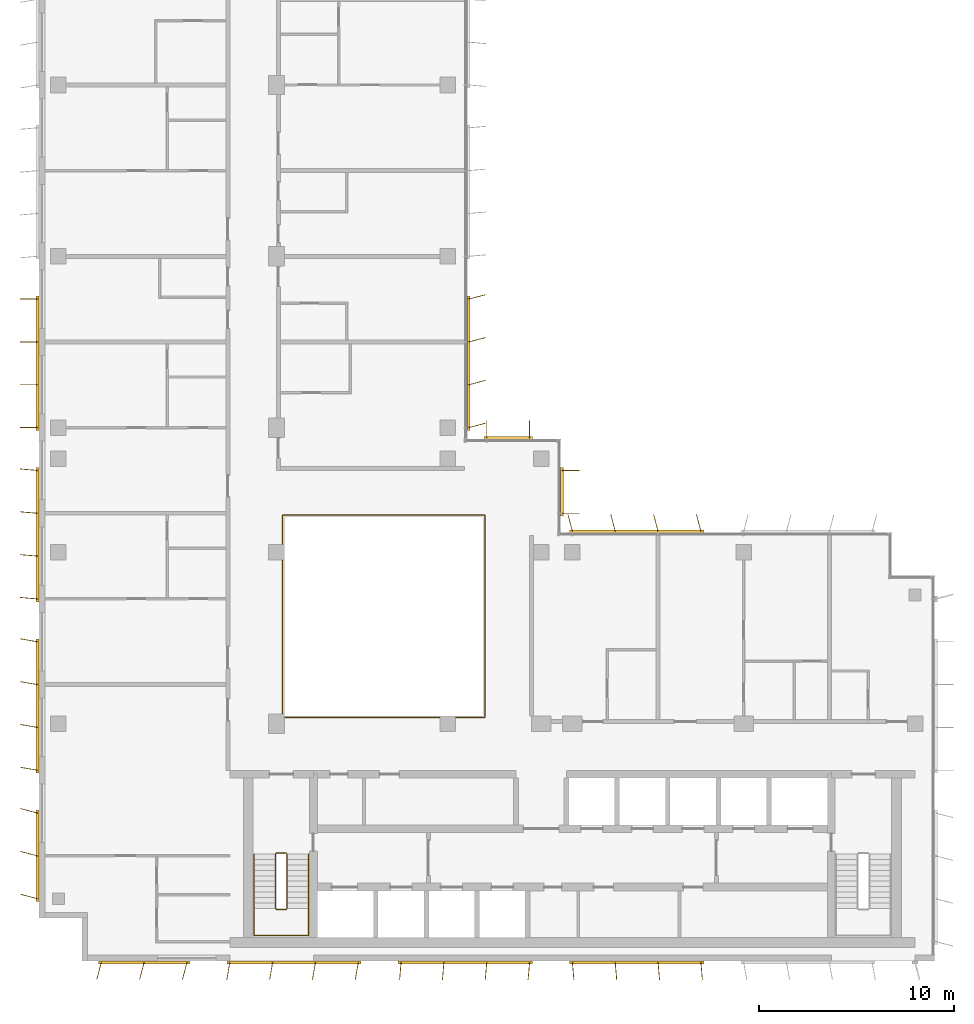
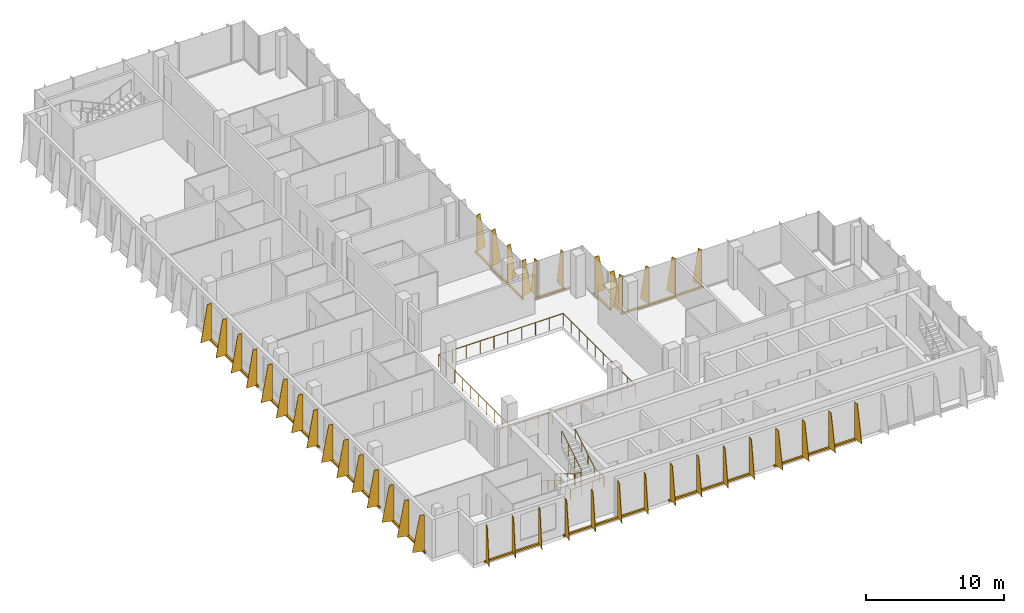
# One storey, part 14 of 16: 12 shading devices, 3 railings.
"""IFC4 building model written with IfcOpenShell, lengths in metres."""

from ifc_helpers import new_model, si_unit, direction, frame, origin, origin_2d, place, context, subcontext, project, spatial, polyline, rectangle, circle, outline, extrude, source, transform, mapped, material, layer, layer_set, type_object, element, save


model = new_model("IFC4")

# Units and contexts
model_context = context("Model", 3, precision=1e-05, world=origin(), true_north=direction((0.0, 1.0)))
body_context = subcontext(model_context, "Body", "Model", "MODEL_VIEW")
ifc_project = project(units=[si_unit("LENGTHUNIT", "METRE"), si_unit("AREAUNIT", "SQUARE_METRE"), si_unit("VOLUMEUNIT", "CUBIC_METRE"), si_unit("PLANEANGLEUNIT", "RADIAN"), si_unit("MASSUNIT", "GRAM", prefix="KILO")], contexts=[model_context])

# Site, building, storey
site_placement = place(None, origin())
site = spatial("IfcSite", under=ifc_project, at=site_placement, CompositionType="ELEMENT")
building_placement = place(site_placement, origin())
building = spatial("IfcBuilding", under=site, at=building_placement, Name="Kemantara Hotel Tower", CompositionType="ELEMENT")
storey_placement = place(building_placement, frame((0.0, 0.0, 283.300048828125)))
storey = spatial("IfcBuildingStorey", under=building, at=storey_placement, Name="L71", CompositionType="ELEMENT", Elevation=283.300048828125)

# Railings
ifc_material_1 = material(Name="Stainless steel and laminated glass balustrade", Category="steel")
railing_type_1 = type_object("IfcRailingType", Name="ATRIUM GUARD 1100", PredefinedType="GUARDRAIL", material=ifc_material_1)
railing_1_placement = place(storey_placement, frame((12.56005859375, 12.5, 0.0)))
element("IfcRailing", 1, at=railing_1_placement, inside=storey, type_object=railing_type_1, Name="ATRIUM GUARD L71", PredefinedType="GUARDRAIL", context=body_context, shape_type="SweptSolid", body=[
    extrude(circle(Radius=0.02490234375, at=origin_2d()), frame((0.0, 0.0, 1.0751953125), z_axis=(1.0, 0.0, 0.0), x_axis=(0.0, 1.0, 0.0)), (0.0, 0.0, 1.0), 10.33984375),
    extrude(circle(Radius=0.02490234375, at=origin_2d()), frame((10.33984375, 0.0, 1.0751953125), z_axis=(0.0, 1.0, 0.0), x_axis=(-1.0, 0.0, 0.0)), (0.0, 0.0, 1.0), 10.39990234375),
    extrude(circle(Radius=0.02490234375, at=origin_2d()), frame((10.33984375, 10.39990234375, 1.0751953125), z_axis=(-1.0, 0.0, 0.0), x_axis=(0.0, -1.0, 0.0)), (0.0, 0.0, 1.0), 10.39990234375),
    extrude(circle(Radius=0.02490234375, at=origin_2d()), frame((-0.06005859375, 10.39990234375, 1.0751953125), z_axis=(0.0, -1.0, 0.0), x_axis=(1.0, 0.0, 0.0)), (0.0, 0.0, 1.0), 10.39990234375),
    extrude(circle(Radius=0.02001953125, at=origin_2d()), origin(), (0.0, 0.0, 1.0), 1.050048828125),
    extrude(circle(Radius=0.02001953125, at=origin_2d()), frame((1.14892578125, 0.0, 0.0)), (0.0, 0.0, 1.0), 1.050048828125),
    extrude(circle(Radius=0.02001953125, at=origin_2d()), frame((2.2978515625, 0.0, 0.0)), (0.0, 0.0, 1.0), 1.050048828125),
    extrude(circle(Radius=0.02001953125, at=origin_2d()), frame((3.446533203125, 0.0, 0.0)), (0.0, 0.0, 1.0), 1.050048828125),
    extrude(circle(Radius=0.02001953125, at=origin_2d()), frame((4.595458984375, 0.0, 0.0)), (0.0, 0.0, 1.0), 1.050048828125),
    extrude(circle(Radius=0.02001953125, at=origin_2d()), frame((5.744384765625, 0.0, 0.0)), (0.0, 0.0, 1.0), 1.050048828125),
    extrude(circle(Radius=0.02001953125, at=origin_2d()), frame((6.893310546875, 0.0, 0.0)), (0.0, 0.0, 1.0), 1.050048828125),
    extrude(circle(Radius=0.02001953125, at=origin_2d()), frame((8.0419921875, 0.0, 0.0)), (0.0, 0.0, 1.0), 1.050048828125),
    extrude(circle(Radius=0.02001953125, at=origin_2d()), frame((9.19091796875, 0.0, 0.0)), (0.0, 0.0, 1.0), 1.050048828125),
    extrude(circle(Radius=0.02001953125, at=origin_2d()), frame((10.33984375, 0.0, 0.0)), (0.0, 0.0, 1.0), 1.050048828125),
    extrude(circle(Radius=0.02001953125, at=origin_2d()), frame((10.33984375, 1.155517578125, 0.0)), (0.0, 0.0, 1.0), 1.050048828125),
    extrude(circle(Radius=0.02001953125, at=origin_2d()), frame((10.33984375, 2.31103515625, 0.0)), (0.0, 0.0, 1.0), 1.050048828125),
    extrude(circle(Radius=0.02001953125, at=origin_2d()), frame((10.33984375, 3.466552734375, 0.0)), (0.0, 0.0, 1.0), 1.050048828125),
    extrude(circle(Radius=0.02001953125, at=origin_2d()), frame((10.33984375, 4.6220703125, 0.0)), (0.0, 0.0, 1.0), 1.050048828125),
    extrude(circle(Radius=0.02001953125, at=origin_2d()), frame((10.33984375, 5.77783203125, 0.0)), (0.0, 0.0, 1.0), 1.050048828125),
    extrude(circle(Radius=0.02001953125, at=origin_2d()), frame((10.33984375, 6.933349609375, 0.0)), (0.0, 0.0, 1.0), 1.050048828125),
    extrude(circle(Radius=0.02001953125, at=origin_2d()), frame((10.33984375, 8.0888671875, 0.0)), (0.0, 0.0, 1.0), 1.050048828125),
    extrude(circle(Radius=0.02001953125, at=origin_2d()), frame((10.33984375, 9.244384765625, 0.0)), (0.0, 0.0, 1.0), 1.050048828125),
    extrude(circle(Radius=0.02001953125, at=origin_2d()), frame((10.33984375, 10.39990234375, 0.0)), (0.0, 0.0, 1.0), 1.050048828125),
    extrude(circle(Radius=0.02001953125, at=origin_2d()), frame((9.184326171875, 10.39990234375, 0.0)), (0.0, 0.0, 1.0), 1.050048828125),
    extrude(circle(Radius=0.02001953125, at=origin_2d()), frame((8.02880859375, 10.39990234375, 0.0)), (0.0, 0.0, 1.0), 1.050048828125),
    extrude(circle(Radius=0.02001953125, at=origin_2d()), frame((6.873291015625, 10.39990234375, 0.0)), (0.0, 0.0, 1.0), 1.050048828125),
    extrude(circle(Radius=0.02001953125, at=origin_2d()), frame((5.7177734375, 10.39990234375, 0.0)), (0.0, 0.0, 1.0), 1.050048828125),
    extrude(circle(Radius=0.02001953125, at=origin_2d()), frame((4.56201171875, 10.39990234375, 0.0)), (0.0, 0.0, 1.0), 1.050048828125),
    extrude(circle(Radius=0.02001953125, at=origin_2d()), frame((3.406494140625, 10.39990234375, 0.0)), (0.0, 0.0, 1.0), 1.050048828125),
    extrude(circle(Radius=0.02001953125, at=origin_2d()), frame((2.2509765625, 10.39990234375, 0.0)), (0.0, 0.0, 1.0), 1.050048828125),
    extrude(circle(Radius=0.02001953125, at=origin_2d()), frame((1.095458984375, 10.39990234375, 0.0)), (0.0, 0.0, 1.0), 1.050048828125),
    extrude(circle(Radius=0.02001953125, at=origin_2d()), frame((-0.06005859375, 10.39990234375, 0.0)), (0.0, 0.0, 1.0), 1.050048828125),
    extrude(circle(Radius=0.02001953125, at=origin_2d()), frame((-0.06005859375, 9.244384765625, 0.0)), (0.0, 0.0, 1.0), 1.050048828125),
    extrude(circle(Radius=0.02001953125, at=origin_2d()), frame((-0.06005859375, 8.0888671875, 0.0)), (0.0, 0.0, 1.0), 1.050048828125),
    extrude(circle(Radius=0.02001953125, at=origin_2d()), frame((-0.06005859375, 6.933349609375, 0.0)), (0.0, 0.0, 1.0), 1.050048828125),
    extrude(circle(Radius=0.02001953125, at=origin_2d()), frame((-0.06005859375, 5.77783203125, 0.0)), (0.0, 0.0, 1.0), 1.050048828125),
    extrude(circle(Radius=0.02001953125, at=origin_2d()), frame((-0.06005859375, 4.6220703125, 0.0)), (0.0, 0.0, 1.0), 1.050048828125),
    extrude(circle(Radius=0.02001953125, at=origin_2d()), frame((-0.06005859375, 3.466552734375, 0.0)), (0.0, 0.0, 1.0), 1.050048828125),
    extrude(circle(Radius=0.02001953125, at=origin_2d()), frame((-0.06005859375, 2.31103515625, 0.0)), (0.0, 0.0, 1.0), 1.050048828125),
    extrude(circle(Radius=0.02001953125, at=origin_2d()), frame((-0.06005859375, 1.155517578125, 0.0)), (0.0, 0.0, 1.0), 1.050048828125),
    extrude(circle(Radius=0.02001953125, at=origin_2d()), frame((-0.06005859375, 0.0, 0.0)), (0.0, 0.0, 1.0), 1.050048828125),
])
ifc_material_2 = material(Name="Stainless steel balustrade", Category="steel")
railing_type_2 = type_object("IfcRailingType", Name="Stair guard 1100 mm", PredefinedType="GUARDRAIL", material=ifc_material_2)
railing_2_placement = place(storey_placement, frame((12.75, 5.5, 3.699951171875)))
element("IfcRailing", 2, at=railing_2_placement, inside=storey, type_object=railing_type_2, Name="L71 ST1 stair guard 1", PredefinedType="GUARDRAIL", context=body_context, shape_type="SweptSolid", body=[
    extrude(circle(Radius=0.02392578125, at=origin_2d()), frame((0.0, 0.0, 1.076171875), z_axis=(0.0, -0.857242210791, -0.514913383045), x_axis=(1.0, 0.0, 0.0)), (0.0, 0.0, 1.0), 3.266357421875),
    extrude(circle(Radius=0.02392578125, at=origin_2d()), frame((0.0, -2.800048828125, -0.60595703125), z_axis=(-0.274243871929, -0.274243871929, -0.92172696468), x_axis=(0.707106781187, -0.707106781187, 0.0)), (0.0, 0.0, 1.0), 0.1826171875),
    extrude(circle(Radius=0.02392578125, at=origin_2d()), frame((-0.050048828125, -2.85009765625, -0.77392578125), z_axis=(-1.0, 0.0, 0.0), x_axis=(0.0, -1.0, 0.0)), (0.0, 0.0, 1.0), 0.5),
    extrude(circle(Radius=0.02392578125, at=origin_2d()), frame((-0.550048828125, -2.85009765625, -0.77392578125), z_axis=(-0.707106781187, 0.707106781187, 0.0), x_axis=(-0.707106781187, -0.707106781187, 0.0)), (0.0, 0.0, 1.0), 0.07080078125),
    extrude(circle(Radius=0.02392578125, at=origin_2d()), frame((-0.60009765625, -2.800048828125, -0.77392578125), z_axis=(0.0, 0.857275202839, -0.514858452973), x_axis=(-1.0, 0.0, 0.0)), (0.0, 0.0, 1.0), 3.26611328125),
    extrude(circle(Radius=0.02392578125, at=origin_2d()), frame((-0.60009765625, 0.0, -2.45556640625), z_axis=(0.274243871929, 0.274243871929, -0.92172696468), x_axis=(-0.707106781187, 0.707106781187, 0.0)), (0.0, 0.0, 1.0), 0.1826171875),
    extrude(circle(Radius=0.02392578125, at=origin_2d()), frame((-0.550048828125, 0.050048828125, -2.6240234375), z_axis=(1.0, 0.0, 0.0), x_axis=(0.0, 1.0, 0.0)), (0.0, 0.0, 1.0), 0.5),
    extrude(circle(Radius=0.02099609375, at=origin_2d()), origin(), (0.0, 0.0, 1.0), 1.052001953125),
    extrude(circle(Radius=0.02099609375, at=origin_2d()), frame((0.0, -0.933349609375, -0.560546875)), (0.0, 0.0, 1.0), 1.052001953125),
    extrude(circle(Radius=0.02099609375, at=origin_2d()), frame((0.0, -1.86669921875, -1.121337890625)), (0.0, 0.0, 1.0), 1.052001953125),
    extrude(circle(Radius=0.02099609375, at=origin_2d()), frame((0.0, -2.800048828125, -1.681884765625)), (0.0, 0.0, 1.0), 1.052001953125),
    extrude(circle(Radius=0.02099609375, at=origin_2d()), frame((-0.050048828125, -2.85009765625, -1.85009765625)), (0.0, 0.0, 1.0), 1.052001953125),
    extrude(circle(Radius=0.02099609375, at=origin_2d()), frame((-0.550048828125, -2.85009765625, -1.85009765625)), (0.0, 0.0, 1.0), 1.052001953125),
    extrude(circle(Radius=0.02099609375, at=origin_2d()), frame((-0.60009765625, -2.800048828125, -1.85009765625)), (0.0, 0.0, 1.0), 1.052001953125),
    extrude(circle(Radius=0.02099609375, at=origin_2d()), frame((-0.60009765625, -1.86669921875, -2.41064453125)), (0.0, 0.0, 1.0), 1.052001953125),
    extrude(circle(Radius=0.02099609375, at=origin_2d()), frame((-0.60009765625, -0.933349609375, -2.97119140625)), (0.0, 0.0, 1.0), 1.052001953125),
    extrude(circle(Radius=0.02099609375, at=origin_2d()), frame((-0.60009765625, 0.0, -3.53173828125)), (0.0, 0.0, 1.0), 1.052001953125),
    extrude(circle(Radius=0.02099609375, at=origin_2d()), frame((-0.550048828125, 0.050048828125, -3.699951171875)), (0.0, 0.0, 1.0), 1.052001953125),
    extrude(circle(Radius=0.02099609375, at=origin_2d()), frame((-0.050048828125, 0.050048828125, -3.699951171875)), (0.0, 0.0, 1.0), 1.052001953125),
])
railing_type_3 = type_object("IfcRailingType", Name="Stair handrail 900 mm", PredefinedType="HANDRAIL", material=ifc_material_2)
railing_3_placement = place(storey_placement, frame((11.050048828125, 5.5, 0.168212890625)))
element("IfcRailing", 3, at=railing_3_placement, inside=storey, type_object=railing_type_3, Name="L71 ST1 stair handrail 1", PredefinedType="HANDRAIL", context=body_context, shape_type="SweptSolid", body=[
    extrude(circle(Radius=0.02392578125, at=origin_2d()), frame((0.0, 0.0, 0.8759765625), z_axis=(0.0, -0.857275202839, 0.514858452973), x_axis=(1.0, 0.0, 0.0)), (0.0, 0.0, 1.0), 3.26611328125),
    extrude(circle(Radius=0.02392578125, at=origin_2d()), frame((0.0, -2.800048828125, 2.5576171875), z_axis=(0.0, -1.0, 0.0), x_axis=(1.0, 0.0, 0.0)), (0.0, 0.0, 1.0), 1.3798828125),
    extrude(circle(Radius=0.02392578125, at=origin_2d()), frame((0.0, -4.179931640625, 2.5576171875), z_axis=(0.998200367801, 0.0, 0.059966871865), x_axis=(0.0, 1.0, 0.0)), (0.0, 0.0, 1.0), 2.80517578125),
    extrude(circle(Radius=0.02392578125, at=origin_2d()), frame((2.800048828125, -4.179931640625, 2.7255859375), z_axis=(0.0, 1.0, 0.0), x_axis=(-1.0, 0.0, 0.0)), (0.0, 0.0, 1.0), 1.3798828125),
    extrude(circle(Radius=0.02392578125, at=origin_2d()), frame((2.800048828125, -2.800048828125, 2.7255859375), z_axis=(0.0, 0.857242210791, 0.514913383045), x_axis=(-1.0, 0.0, 0.0)), (0.0, 0.0, 1.0), 3.266357421875),
    extrude(circle(Radius=0.02099609375, at=origin_2d()), origin(), (0.0, 0.0, 1.0), 0.851806640625),
    extrude(circle(Radius=0.02099609375, at=origin_2d()), frame((0.0, -0.933349609375, 0.560546875)), (0.0, 0.0, 1.0), 0.851806640625),
    extrude(circle(Radius=0.02099609375, at=origin_2d()), frame((0.0, -1.86669921875, 1.12109375)), (0.0, 0.0, 1.0), 0.851806640625),
    extrude(circle(Radius=0.02099609375, at=origin_2d()), frame((0.0, -2.800048828125, 1.681640625)), (0.0, 0.0, 1.0), 0.851806640625),
    extrude(circle(Radius=0.02099609375, at=origin_2d()), frame((0.0, -3.489990234375, 1.681640625)), (0.0, 0.0, 1.0), 0.851806640625),
    extrude(circle(Radius=0.02099609375, at=origin_2d()), frame((0.0, -4.179931640625, 1.681640625)), (0.0, 0.0, 1.0), 0.851806640625),
    extrude(circle(Radius=0.02099609375, at=origin_2d()), frame((0.933349609375, -4.179931640625, 1.73779296875)), (0.0, 0.0, 1.0), 0.851806640625),
    extrude(circle(Radius=0.02099609375, at=origin_2d()), frame((1.86669921875, -4.179931640625, 1.793701171875)), (0.0, 0.0, 1.0), 0.851806640625),
    extrude(circle(Radius=0.02099609375, at=origin_2d()), frame((2.800048828125, -4.179931640625, 1.849853515625)), (0.0, 0.0, 1.0), 0.851806640625),
    extrude(circle(Radius=0.02099609375, at=origin_2d()), frame((2.800048828125, -3.489990234375, 1.849853515625)), (0.0, 0.0, 1.0), 0.851806640625),
    extrude(circle(Radius=0.02099609375, at=origin_2d()), frame((2.800048828125, -2.800048828125, 1.849853515625)), (0.0, 0.0, 1.0), 0.851806640625),
    extrude(circle(Radius=0.02099609375, at=origin_2d()), frame((2.800048828125, -1.86669921875, 2.410400390625)), (0.0, 0.0, 1.0), 0.851806640625),
    extrude(circle(Radius=0.02099609375, at=origin_2d()), frame((2.800048828125, -0.933349609375, 2.97119140625)), (0.0, 0.0, 1.0), 0.851806640625),
    extrude(circle(Radius=0.02099609375, at=origin_2d()), frame((2.800048828125, 0.0, 3.53173828125)), (0.0, 0.0, 1.0), 0.851806640625),
])

# Shading devices
ifc_material_3 = material(Name="Perforated aluminium plate 4 mm bronze anodised", Category="aluminium")
ifc_layer_1 = layer(ifc_material_3, 0.0400390625)
ifc_layer_set_1 = layer_set([ifc_layer_1], Name="Perforated aluminium plate 4 mm bronze anodised")
shading_device_type_1 = type_object("IfcShadingDeviceType", Name="SCREEN FIN CASSETTE, 3 BLADES AT -15.0 DEG, 3200 HIGH", PredefinedType="USERDEFINED", material=ifc_layer_set_1)
shared_shape_1 = source(origin(), body_context, "Body", "SweptSolid", [
    extrude(rectangle(XDim=4.699951171875, YDim=0.14990234375, at=origin_2d()), frame((2.199951171875, -0.074951171875, -0.14990234375), z_axis=(0.0, 0.0, 1.0), x_axis=(1.0, 0.0, 0.0)), (0.0, 0.0, 1.0), 0.14990234375),
    extrude(outline(polyline([(0.0, 0.0), (0.89990234375, 0.0), (0.35009765625, 3.199951171875), (0.0, 3.199951171875), (0.0, 0.0)])), frame((0.019287109375, -0.080078125, 0.0), z_axis=(-0.966437683387, 0.256901156343, 0.0), x_axis=(-0.256901156343, -0.966437683387, 0.0)), (0.0, 0.0, 1.0), 0.039794921875),
    extrude(outline(polyline([(0.0, 0.0), (0.89990234375, 0.0), (0.35009765625, 3.199951171875), (0.0, 3.199951171875), (0.0, 0.0)])), frame((2.21923828125, -0.080078125, 0.0), z_axis=(-0.966437683387, 0.256901156343, 0.0), x_axis=(-0.256901156343, -0.966437683387, 0.0)), (0.0, 0.0, 1.0), 0.039794921875),
    extrude(outline(polyline([(0.0, 0.0), (0.89990234375, 0.0), (0.35009765625, 3.199951171875), (0.0, 3.199951171875), (0.0, 0.0)])), frame((4.41943359375, -0.080078125, 0.0), z_axis=(-0.966837822169, 0.255391122837, 0.0), x_axis=(-0.255391122837, -0.966837822169, 0.0)), (0.0, 0.0, 1.0), 0.0400390625),
])
for number, where, z_axis, x_axis, name in (
    (4, (0.0, 7.60009765625, 0.099853515625), (0.0, 0.0, 1.0), (0.0, -1.0, 0.0), "SCREEN FIN CASSETTE L71 T4-R05-7"),
    (5, (3.199951171875, 0.0, 0.099853515625), (0.0, 0.0, 1.0), (1.0, 0.0, 0.0), "SCREEN FIN CASSETTE L71 T4-R08-1"),
):
    element("IfcShadingDevice", number, at=place(storey_placement, frame(where, z_axis=z_axis, x_axis=x_axis)), inside=storey, type_object=shading_device_type_1, Name=name, ObjectType="SCREEN FIN", PredefinedType="USERDEFINED", context=body_context, shape_type="MappedRepresentation", body=[
        mapped(shared_shape_1, transform((0.0, 0.0, 0.0))),
    ])
ifc_layer_2 = layer(ifc_material_3, 0.0400390625)
ifc_layer_set_2 = layer_set([ifc_layer_2], Name="Perforated aluminium plate 4 mm bronze anodised")
shading_device_type_2 = type_object("IfcShadingDeviceType", Name="SCREEN FIN CASSETTE, 4 BLADES AT -10.0 DEG, 3200 HIGH", PredefinedType="USERDEFINED", material=ifc_layer_set_2)
shared_shape_2 = source(origin(), body_context, "Body", "SweptSolid", [
    extrude(rectangle(XDim=6.89990234375, YDim=0.14990234375, at=origin_2d()), frame((3.300048828125, -0.074951171875, -0.14990234375), z_axis=(0.0, 0.0, 1.0), x_axis=(1.0, 0.0, 0.0)), (0.0, 0.0, 1.0), 0.14990234375),
    extrude(outline(polyline([(0.0, 0.0), (0.89990234375, 0.0), (0.35009765625, 3.199951171875), (0.0, 3.199951171875), (0.0, 0.0)])), frame((0.019775390625, -0.078369140625, 0.0), z_axis=(-0.985389793052, 0.170314285219, 0.0), x_axis=(-0.170314285219, -0.985389793052, 0.0)), (0.0, 0.0, 1.0), 0.0400390625),
    extrude(outline(polyline([(0.0, 0.0), (0.89990234375, 0.0), (0.35009765625, 3.199951171875), (0.0, 3.199951171875), (0.0, 0.0)])), frame((2.2197265625, -0.078369140625, 0.0), z_axis=(-0.98521175482, 0.171341174751, 0.0), x_axis=(-0.171341174751, -0.98521175482, 0.0)), (0.0, 0.0, 1.0), 0.039794921875),
    extrude(outline(polyline([(0.0, 0.0), (0.89990234375, 0.0), (0.35009765625, 3.199951171875), (0.0, 3.199951171875), (0.0, 0.0)])), frame((4.419677734375, -0.078369140625, 0.0), z_axis=(-0.98521175482, 0.171341174751, 0.0), x_axis=(-0.171341174751, -0.98521175482, 0.0)), (0.0, 0.0, 1.0), 0.039794921875),
    extrude(outline(polyline([(0.0, 0.0), (0.89990234375, 0.0), (0.35009765625, 3.199951171875), (0.0, 3.199951171875), (0.0, 0.0)])), frame((6.61962890625, -0.078369140625, 0.0), z_axis=(-0.98521175482, 0.171341174751, 0.0), x_axis=(-0.171341174751, -0.98521175482, 0.0)), (0.0, 0.0, 1.0), 0.039794921875),
])
for number, where, z_axis, x_axis, name in (
    (6, (0.0, 16.39990234375, 0.099853515625), (0.0, 0.0, 1.0), (0.0, -1.0, 0.0), "SCREEN FIN CASSETTE L71 T4-R05-6"),
    (7, (9.800048828125, 0.0, 0.099853515625), (0.0, 0.0, 1.0), (1.0, 0.0, 0.0), "SCREEN FIN CASSETTE L71 T4-R08-2"),
):
    element("IfcShadingDevice", number, at=place(storey_placement, frame(where, z_axis=z_axis, x_axis=x_axis)), inside=storey, type_object=shading_device_type_2, Name=name, ObjectType="SCREEN FIN", PredefinedType="USERDEFINED", context=body_context, shape_type="MappedRepresentation", body=[
        mapped(shared_shape_2, transform((0.0, 0.0, 0.0))),
    ])
ifc_layer_3 = layer(ifc_material_3, 0.0400390625)
ifc_layer_set_3 = layer_set([ifc_layer_3], Name="Perforated aluminium plate 4 mm bronze anodised")
shading_device_type_3 = type_object("IfcShadingDeviceType", Name="SCREEN FIN CASSETTE, 4 BLADES AT -5.0 DEG, 3200 HIGH", PredefinedType="USERDEFINED", material=ifc_layer_set_3)
shared_shape_3 = source(origin(), body_context, "Body", "SweptSolid", [
    extrude(rectangle(XDim=6.89990234375, YDim=0.14990234375, at=origin_2d()), frame((3.300048828125, -0.074951171875, -0.14990234375), z_axis=(0.0, 0.0, 1.0), x_axis=(1.0, 0.0, 0.0)), (0.0, 0.0, 1.0), 0.14990234375),
    extrude(outline(polyline([(0.0, 0.0), (0.89990234375, 0.0), (0.35009765625, 3.199951171875), (0.0, 3.199951171875), (0.0, 0.0)])), frame((0.02001953125, -0.07666015625, 0.0), z_axis=(-0.996376129781, 0.085056498884, 0.0), x_axis=(-0.085056498884, -0.996376129781, 0.0)), (0.0, 0.0, 1.0), 0.040283203125),
    extrude(outline(polyline([(0.0, 0.0), (0.89990234375, 0.0), (0.35009765625, 3.199951171875), (0.0, 3.199951171875), (0.0, 0.0)])), frame((2.219970703125, -0.07666015625, 0.0), z_axis=(-0.996331773833, 0.085574508182, 0.0), x_axis=(-0.085574508182, -0.996331773833, 0.0)), (0.0, 0.0, 1.0), 0.0400390625),
    extrude(outline(polyline([(0.0, 0.0), (0.89990234375, 0.0), (0.35009765625, 3.199951171875), (0.0, 3.199951171875), (0.0, 0.0)])), frame((4.419921875, -0.07666015625, 0.0), z_axis=(-0.996331773833, 0.085574508182, 0.0), x_axis=(-0.085574508182, -0.996331773833, 0.0)), (0.0, 0.0, 1.0), 0.0400390625),
    extrude(outline(polyline([(0.0, 0.0), (0.89990234375, 0.0), (0.35009765625, 3.199951171875), (0.0, 3.199951171875), (0.0, 0.0)])), frame((6.619873046875, -0.07666015625, 0.0), z_axis=(-0.996331773833, 0.085574508182, 0.0), x_axis=(-0.085574508182, -0.996331773833, 0.0)), (0.0, 0.0, 1.0), 0.0400390625),
])
for number, where, z_axis, x_axis, name in (
    (8, (0.0, 25.199951171875, 0.099853515625), (0.0, 0.0, 1.0), (0.0, -1.0, 0.0), "SCREEN FIN CASSETTE L71 T4-R05-5"),
    (9, (18.60009765625, 0.0, 0.099853515625), (0.0, 0.0, 1.0), (1.0, 0.0, 0.0), "SCREEN FIN CASSETTE L71 T4-R08-3"),
):
    element("IfcShadingDevice", number, at=place(storey_placement, frame(where, z_axis=z_axis, x_axis=x_axis)), inside=storey, type_object=shading_device_type_3, Name=name, ObjectType="SCREEN FIN", PredefinedType="USERDEFINED", context=body_context, shape_type="MappedRepresentation", body=[
        mapped(shared_shape_3, transform((0.0, 0.0, 0.0))),
    ])
ifc_layer_4 = layer(ifc_material_3, 0.0400390625)
ifc_layer_set_4 = layer_set([ifc_layer_4], Name="Perforated aluminium plate 4 mm bronze anodised")
shading_device_type_4 = type_object("IfcShadingDeviceType", Name="SCREEN FIN CASSETTE, 4 BLADES AT +0.0 DEG, 3200 HIGH", PredefinedType="USERDEFINED", material=ifc_layer_set_4)
shared_shape_4 = source(origin(), body_context, "Body", "SweptSolid", [
    extrude(rectangle(XDim=6.89990234375, YDim=0.14990234375, at=origin_2d()), frame((3.300048828125, -0.074951171875, -0.14990234375), z_axis=(0.0, 0.0, 1.0), x_axis=(1.0, 0.0, 0.0)), (0.0, 0.0, 1.0), 0.14990234375),
    extrude(outline(polyline([(0.0, 0.0), (0.89990234375, 0.0), (0.35009765625, 3.199951171875), (0.0, 3.199951171875), (0.0, 0.0)])), frame((0.02001953125, -0.074951171875, 0.0), z_axis=(-1.0, 0.0, 0.0), x_axis=(0.0, -1.0, 0.0)), (0.0, 0.0, 1.0), 0.0400390625),
    extrude(outline(polyline([(0.0, 0.0), (0.89990234375, 0.0), (0.35009765625, 3.199951171875), (0.0, 3.199951171875), (0.0, 0.0)])), frame((2.219970703125, -0.074951171875, 0.0), z_axis=(-1.0, 0.0, 0.0), x_axis=(0.0, -1.0, 0.0)), (0.0, 0.0, 1.0), 0.0400390625),
    extrude(outline(polyline([(0.0, 0.0), (0.89990234375, 0.0), (0.35009765625, 3.199951171875), (0.0, 3.199951171875), (0.0, 0.0)])), frame((4.419921875, -0.074951171875, 0.0), z_axis=(-1.0, 0.0, 0.0), x_axis=(0.0, -1.0, 0.0)), (0.0, 0.0, 1.0), 0.0400390625),
    extrude(outline(polyline([(0.0, 0.0), (0.89990234375, 0.0), (0.35009765625, 3.199951171875), (0.0, 3.199951171875), (0.0, 0.0)])), frame((6.6201171875, -0.074951171875, 0.0), z_axis=(-1.0, 0.0, 0.0), x_axis=(0.0, -1.0, 0.0)), (0.0, 0.0, 1.0), 0.0400390625),
])
shading_device_1_placement = place(storey_placement, frame((0.0, 34.0, 0.099853515625), z_axis=(0.0, 0.0, 1.0), x_axis=(0.0, -1.0, 0.0)))
element("IfcShadingDevice", 10, at=shading_device_1_placement, inside=storey, type_object=shading_device_type_4, Name="SCREEN FIN CASSETTE L71 T4-R05-4", ObjectType="SCREEN FIN", PredefinedType="USERDEFINED", context=body_context, shape_type="MappedRepresentation", body=[
    mapped(shared_shape_4, transform((0.0, 0.0, 0.0))),
])
ifc_layer_5 = layer(ifc_material_3, 0.0400390625)
ifc_layer_set_5 = layer_set([ifc_layer_5], Name="Perforated aluminium plate 4 mm bronze anodised")
shading_device_type_5 = type_object("IfcShadingDeviceType", Name="SCREEN FIN CASSETTE, 4 BLADES AT +5.0 DEG, 3200 HIGH", PredefinedType="USERDEFINED", material=ifc_layer_set_5)
shared_shape_5 = source(origin(), body_context, "Body", "SweptSolid", [
    extrude(rectangle(XDim=6.89990234375, YDim=0.14990234375, at=origin_2d()), frame((3.300048828125, -0.074951171875, -0.14990234375), z_axis=(0.0, 0.0, 1.0), x_axis=(1.0, 0.0, 0.0)), (0.0, 0.0, 1.0), 0.14990234375),
    extrude(outline(polyline([(0.0, 0.0), (0.89990234375, 0.0), (0.35009765625, 3.199951171875), (0.0, 3.199951171875), (0.0, 0.0)])), frame((0.02001953125, -0.0732421875, 0.0), z_axis=(-0.996376129781, -0.085056498884, 0.0), x_axis=(0.085056498884, -0.996376129781, 0.0)), (0.0, 0.0, 1.0), 0.040283203125),
    extrude(outline(polyline([(0.0, 0.0), (0.89990234375, 0.0), (0.35009765625, 3.199951171875), (0.0, 3.199951171875), (0.0, 0.0)])), frame((2.219970703125, -0.0732421875, 0.0), z_axis=(-0.996331773833, -0.085574508182, 0.0), x_axis=(0.085574508182, -0.996331773833, 0.0)), (0.0, 0.0, 1.0), 0.0400390625),
    extrude(outline(polyline([(0.0, 0.0), (0.89990234375, 0.0), (0.35009765625, 3.199951171875), (0.0, 3.199951171875), (0.0, 0.0)])), frame((4.419921875, -0.0732421875, 0.0), z_axis=(-0.996331773833, -0.085574508182, 0.0), x_axis=(0.085574508182, -0.996331773833, 0.0)), (0.0, 0.0, 1.0), 0.0400390625),
    extrude(outline(polyline([(0.0, 0.0), (0.89990234375, 0.0), (0.35009765625, 3.199951171875), (0.0, 3.199951171875), (0.0, 0.0)])), frame((6.619873046875, -0.0732421875, 0.0), z_axis=(-0.996331773833, -0.085574508182, 0.0), x_axis=(0.085574508182, -0.996331773833, 0.0)), (0.0, 0.0, 1.0), 0.0400390625),
])
shading_device_2_placement = place(storey_placement, frame((27.39990234375, 0.0, 0.099853515625), z_axis=(0.0, 0.0, 1.0), x_axis=(1.0, 0.0, 0.0)))
element("IfcShadingDevice", 11, at=shading_device_2_placement, inside=storey, type_object=shading_device_type_5, Name="SCREEN FIN CASSETTE L71 T4-R08-4", ObjectType="SCREEN FIN", PredefinedType="USERDEFINED", context=body_context, shape_type="MappedRepresentation", body=[
    mapped(shared_shape_5, transform((0.0, 0.0, 0.0))),
])
ifc_layer_6 = layer(ifc_material_3, 0.0400390625)
ifc_layer_set_6 = layer_set([ifc_layer_6], Name="Perforated aluminium plate 4 mm bronze anodised")
shading_device_type_6 = type_object("IfcShadingDeviceType", Name="SCREEN FIN CASSETTE, 4 BLADES AT +15.0 DEG, 3200 HIGH", PredefinedType="USERDEFINED", material=ifc_layer_set_6)
shared_shape_6 = source(origin(), body_context, "Body", "SweptSolid", [
    extrude(rectangle(XDim=6.89990234375, YDim=0.14990234375, at=origin_2d()), frame((3.300048828125, -0.074951171875, -0.14990234375), z_axis=(0.0, 0.0, 1.0), x_axis=(1.0, 0.0, 0.0)), (0.0, 0.0, 1.0), 0.14990234375),
    extrude(outline(polyline([(0.0, 0.0), (0.89990234375, 0.0), (0.35009765625, 3.199951171875), (0.0, 3.199951171875), (0.0, 0.0)])), frame((0.019287109375, -0.06982421875, 0.0), z_axis=(-0.966437683387, -0.256901156343, 0.0), x_axis=(0.256901156343, -0.966437683387, 0.0)), (0.0, 0.0, 1.0), 0.039794921875),
    extrude(outline(polyline([(0.0, 0.0), (0.89990234375, 0.0), (0.35009765625, 3.199951171875), (0.0, 3.199951171875), (0.0, 0.0)])), frame((2.21923828125, -0.06982421875, 0.0), z_axis=(-0.966437683387, -0.256901156343, 0.0), x_axis=(0.256901156343, -0.966437683387, 0.0)), (0.0, 0.0, 1.0), 0.039794921875),
    extrude(outline(polyline([(0.0, 0.0), (0.89990234375, 0.0), (0.35009765625, 3.199951171875), (0.0, 3.199951171875), (0.0, 0.0)])), frame((4.41943359375, -0.06982421875, 0.0), z_axis=(-0.966837822169, -0.255391122837, 0.0), x_axis=(0.255391122837, -0.966837822169, 0.0)), (0.0, 0.0, 1.0), 0.0400390625),
    extrude(outline(polyline([(0.0, 0.0), (0.89990234375, 0.0), (0.35009765625, 3.199951171875), (0.0, 3.199951171875), (0.0, 0.0)])), frame((6.619384765625, -0.06982421875, 0.0), z_axis=(-0.966837822169, -0.255391122837, 0.0), x_axis=(0.255391122837, -0.966837822169, 0.0)), (0.0, 0.0, 1.0), 0.0400390625),
])
for number, where, z_axis, x_axis, name in (
    (12, (34.0, 22.0, 0.099853515625), (0.0, 0.0, 1.0), (-1.0, 0.0, 0.0), "SCREEN FIN CASSETTE L71 T4-R12-2"),
    (13, (22.0, 27.39990234375, 0.099853515625), (0.0, 0.0, 1.0), (0.0, 1.0, 0.0), "SCREEN FIN CASSETTE L71 T4-R15-1"),
):
    element("IfcShadingDevice", number, at=place(storey_placement, frame(where, z_axis=z_axis, x_axis=x_axis)), inside=storey, type_object=shading_device_type_6, Name=name, ObjectType="SCREEN FIN", PredefinedType="USERDEFINED", context=body_context, shape_type="MappedRepresentation", body=[
        mapped(shared_shape_6, transform((0.0, 0.0, 0.0))),
    ])
ifc_layer_7 = layer(ifc_material_3, 0.0400390625)
ifc_layer_set_7 = layer_set([ifc_layer_7], Name="Perforated aluminium plate 4 mm bronze anodised")
shading_device_type_7 = type_object("IfcShadingDeviceType", Name="SCREEN FIN CASSETTE, 2 BLADES AT +0.0 DEG, 3200 HIGH", PredefinedType="USERDEFINED", material=ifc_layer_set_7)
shared_shape_7 = source(origin(), body_context, "Body", "SweptSolid", [
    extrude(rectangle(XDim=2.5, YDim=0.14990234375, at=origin_2d()), frame((1.10009765625, -0.074951171875, -0.14990234375), z_axis=(0.0, 0.0, 1.0), x_axis=(1.0, 0.0, 0.0)), (0.0, 0.0, 1.0), 0.14990234375),
    extrude(outline(polyline([(0.0, 0.0), (0.89990234375, 0.0), (0.35009765625, 3.199951171875), (0.0, 3.199951171875), (0.0, 0.0)])), frame((0.02001953125, -0.074951171875, 0.0), z_axis=(-1.0, 0.0, 0.0), x_axis=(0.0, -1.0, 0.0)), (0.0, 0.0, 1.0), 0.0400390625),
    extrude(outline(polyline([(0.0, 0.0), (0.89990234375, 0.0), (0.35009765625, 3.199951171875), (0.0, 3.199951171875), (0.0, 0.0)])), frame((2.219970703125, -0.074951171875, 0.0), z_axis=(-1.0, 0.0, 0.0), x_axis=(0.0, -1.0, 0.0)), (0.0, 0.0, 1.0), 0.0400390625),
])
for number, where, z_axis, x_axis, name in (
    (14, (26.800048828125, 23.0, 0.099853515625), (0.0, 0.0, 1.0), (0.0, 1.0, 0.0), "SCREEN FIN CASSETTE L71 T4-R13-1"),
    (15, (25.199951171875, 26.800048828125, 0.099853515625), (0.0, 0.0, 1.0), (-1.0, 0.0, 0.0), "SCREEN FIN CASSETTE L71 T4-R14-1"),
):
    element("IfcShadingDevice", number, at=place(storey_placement, frame(where, z_axis=z_axis, x_axis=x_axis)), inside=storey, type_object=shading_device_type_7, Name=name, ObjectType="SCREEN FIN", PredefinedType="USERDEFINED", context=body_context, shape_type="MappedRepresentation", body=[
        mapped(shared_shape_7, transform((0.0, 0.0, 0.0))),
    ])

save(model, "model.ifc")
